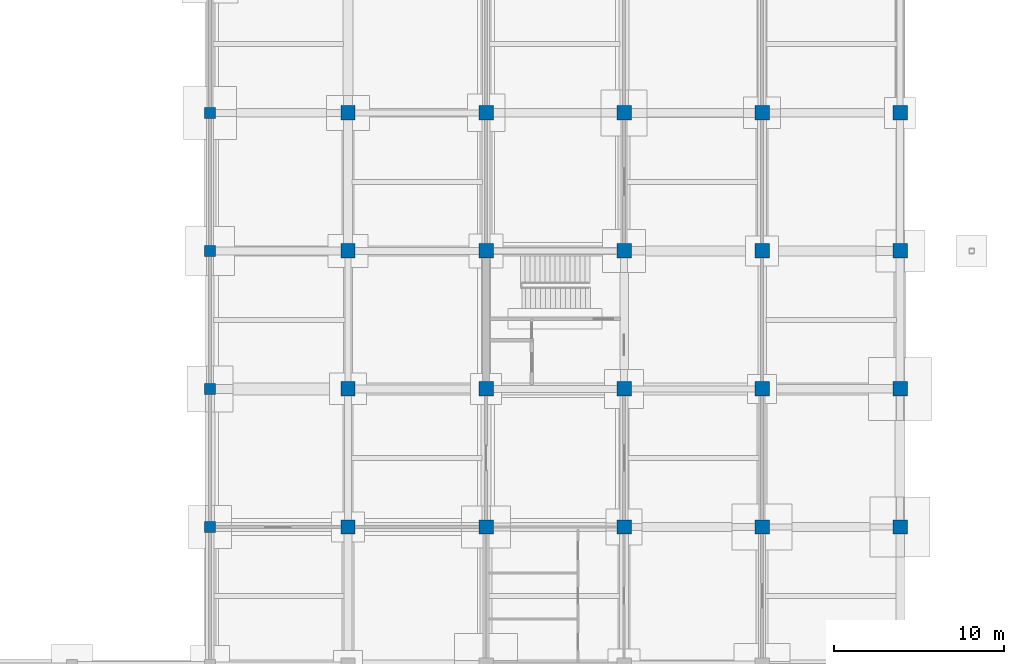
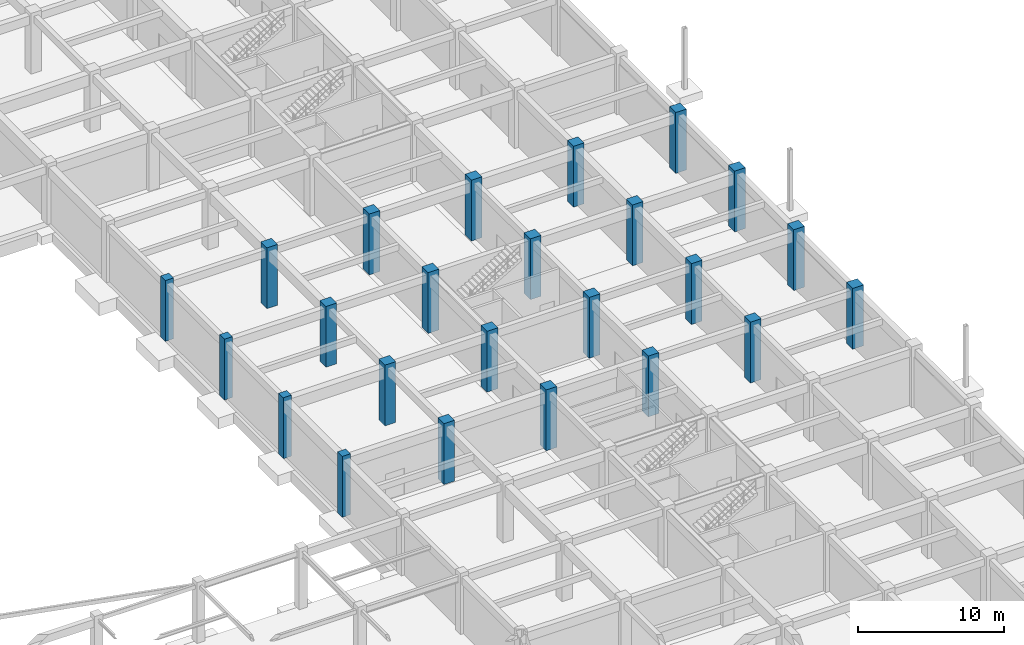
# One storey, part 25 of 67: 24 columns.
"""IFC4 building model written with IfcOpenShell, lengths in metres."""

import ifcopenshell
import ifcopenshell.guid

model = None  # the IFC model being written
_history = None  # IfcOwnerHistory: only IFC2X3 demands one
_inside = {}  # id of a spatial element -> (the spatial element, [elements in it])
_under = {}  # id of a project, library or spatial element -> (it, [spatial elements below it])
_declared = {}  # id of a project -> (the project, [libraries it declares])
_typed = {}  # id of a type object -> (the type object, [elements of that type])
_made_of = {}  # id of a material, layer set ... -> (it, [elements and type objects made of it])


def new_model(schema):
    """Start an empty IFC model of exactly this schema.

    Asked for "IFC4X3", IfcOpenShell would pick the latest addendum, in which some entities
    have other attributes; the version numbers below select the first issue.
    IFC2X3 requires an IfcOwnerHistory on every rooted entity: one is made here for all.
    """
    global model, _history
    if schema == "IFC4X3":
        model = ifcopenshell.file(schema_version=(4, 3, 0, 0))
    else:
        model = ifcopenshell.file(schema=schema)
    _inside.clear()
    _under.clear()
    _declared.clear()
    _typed.clear()
    _made_of.clear()
    _history = None
    if model.schema == "IFC2X3":
        org = make("IfcOrganization", Name="unknown")
        user = make(
            "IfcPersonAndOrganization",
            ThePerson=make("IfcPerson", FamilyName="unknown"),
            TheOrganization=org,
        )
        app = make(
            "IfcApplication",
            ApplicationDeveloper=org,
            Version="unknown",
            ApplicationFullName="unknown",
            ApplicationIdentifier="unknown",
        )
        _history = make(
            "IfcOwnerHistory",
            OwningUser=user,
            OwningApplication=app,
            ChangeAction="ADDED",
            CreationDate=0,
        )
    return model


def make(cls, **values):
    """One entity of the class cls with the attributes given. An attribute that is None is left unset."""
    return model.create_entity(
        cls, **{name: value for name, value in values.items() if value is not None}
    )


def rooted(cls, **values):
    """An entity with a GlobalId (a new one), such as an element, a storey or a relation."""
    return make(cls, GlobalId=ifcopenshell.guid.new(), OwnerHistory=_history, **values)


def si_unit(unit_type, name, prefix=None):
    """IfcSIUnit, for example si_unit("LENGTHUNIT", "METRE", prefix="MILLI")."""
    return make("IfcSIUnit", UnitType=unit_type, Prefix=prefix, Name=name)


def assignment(units):
    """IfcUnitAssignment: the units of a project."""
    return None if units is None else make("IfcUnitAssignment", Units=units)


def point(xyz):
    """IfcCartesianPoint."""
    return None if xyz is None else make("IfcCartesianPoint", Coordinates=xyz)


def direction(xyz):
    """IfcDirection."""
    return None if xyz is None else make("IfcDirection", DirectionRatios=xyz)


def frame(location, z_axis=None, x_axis=None):
    """IfcAxis2Placement3D, a coordinate frame: its origin and axes. An axis left out is left unset."""
    return make(
        "IfcAxis2Placement3D",
        Location=point(location),
        Axis=direction(z_axis),
        RefDirection=direction(x_axis),
    )


def frame_2d(location, x_axis=None):
    """IfcAxis2Placement2D, a coordinate frame in the plane: its origin and x axis."""
    return make(
        "IfcAxis2Placement2D", Location=point(location), RefDirection=direction(x_axis)
    )


def origin():
    """The frame at (0, 0, 0) with its axes left unset."""
    return frame((0.0, 0.0, 0.0))


def origin_2d():
    """The frame at (0, 0) in the plane with its x axis left unset."""
    return frame_2d((0.0, 0.0))


def place(relative_to, where):
    """IfcLocalPlacement: puts the frame where relative to a parent placement (None: the world)."""
    return make(
        "IfcLocalPlacement", PlacementRelTo=relative_to, RelativePlacement=where
    )


def context(
    kind, dimensions, precision=None, world=None, true_north=None, identifier=None
):
    """IfcGeometricRepresentationContext, for example the 3D "Model" context."""
    return make(
        "IfcGeometricRepresentationContext",
        ContextIdentifier=identifier,
        ContextType=kind,
        CoordinateSpaceDimension=dimensions,
        Precision=precision,
        WorldCoordinateSystem=world,
        TrueNorth=true_north,
    )


def subcontext(parent, identifier, kind, view, scale=None):
    """IfcGeometricRepresentationSubContext, for example "Body" below "Model"."""
    return make(
        "IfcGeometricRepresentationSubContext",
        ContextIdentifier=identifier,
        ContextType=kind,
        ParentContext=parent,
        TargetScale=scale,
        TargetView=view,
    )


def project(units=None, contexts=None):
    """IfcProject with its units and contexts."""
    return rooted(
        "IfcProject",
        Name="project",
        RepresentationContexts=contexts,
        UnitsInContext=assignment(units),
    )


def spatial(cls, under=None, at=None, **own):
    """A site, building, storey or space (cls), placed at a placement, below another one or the project."""
    s = rooted(cls, ObjectPlacement=at, **own)
    if under is not None:
        _under.setdefault(under.id(), (under, []))[1].append(s)
    return s


def profile(cls, at=None, kind="AREA", **sizes):
    """A parametric profile (cls). Its sizes go by their IFC names, for example OverallWidth=200.0."""
    return make(cls, ProfileType=kind, Position=at, **sizes)


def rectangle(**sizes):
    """IfcRectangleProfileDef."""
    return profile("IfcRectangleProfileDef", **sizes)


def extrude(swept, where, along, depth):
    """IfcExtrudedAreaSolid: the profile swept, set in the frame where, extruded along a direction by depth."""
    return make(
        "IfcExtrudedAreaSolid",
        SweptArea=swept,
        Position=where,
        ExtrudedDirection=direction(along),
        Depth=depth,
    )


def shape(context_of_items, identifier, shape_type, items):
    """IfcShapeRepresentation: the items that make up one representation, for example the "Body"."""
    return make(
        "IfcShapeRepresentation",
        ContextOfItems=context_of_items,
        RepresentationIdentifier=identifier,
        RepresentationType=shape_type,
        Items=items,
    )


def material(Name=None, Category=None):
    """IfcMaterial."""
    return make("IfcMaterial", Name=Name, Category=Category)


def material_profile(
    of_material, cross_section, Name=None, Category=None, Priority=None
):
    """IfcMaterialProfile: a cross section and its material."""
    return make(
        "IfcMaterialProfile",
        Name=Name,
        Material=of_material,
        Profile=cross_section,
        Priority=Priority,
        Category=Category,
    )


def profile_set(profiles, Name=None, composite=None):
    """IfcMaterialProfileSet."""
    return make(
        "IfcMaterialProfileSet",
        Name=Name,
        MaterialProfiles=profiles,
        CompositeProfile=composite,
    )


def made_of(thing, what):
    """Note that an element or type object is made of a material, layer set ...; save() writes the relation."""
    if what is not None:
        _made_of.setdefault(what.id(), (what, []))[1].append(thing)
    return thing


def type_object(cls, material=None, **own):
    """A type object (cls), such as IfcWallType, which elements share."""
    return made_of(rooted(cls, **own), material)


def element(
    cls,
    number,
    at=None,
    inside=None,
    cuts=None,
    type_object=None,
    material=None,
    context=None,
    identifier="Body",
    shape_type=None,
    held_by="IfcProductDefinitionShape",
    body=None,
    shapes=None,
    **own,
):
    """One element of the class cls, such as IfcWall. Its Tag is "e" and its number.

    at: its placement. inside: the storey or other place that contains it. cuts: it is an
    opening in that element (IfcRelVoidsElement). A single representation is given by context,
    identifier, shape_type and body (its items); several are given by shapes. held_by: the class
    of the entity that holds the representations. save() writes the other relations.
    """
    e = rooted(cls, Tag="e%d" % number, ObjectPlacement=at, **own)
    if body is not None:
        shapes = [shape(context, identifier, shape_type, body)]
    if shapes is not None:
        e.Representation = make(held_by, Representations=shapes)
    if inside is not None:
        _inside.setdefault(inside.id(), (inside, []))[1].append(e)
    if cuts is not None:
        rooted(
            "IfcRelVoidsElement", RelatingBuildingElement=cuts, RelatedOpeningElement=e
        )
    if type_object is not None:
        _typed.setdefault(type_object.id(), (type_object, []))[1].append(e)
    return made_of(e, material)


def aggregate(whole, parts):
    """IfcRelAggregates: a whole, such as a stair, and the parts it consists of."""
    return rooted("IfcRelAggregates", RelatingObject=whole, RelatedObjects=parts)


def save(model, path):
    """Write the relations noted so far, then the file.

    IfcRelAggregates (storeys below a building ...), IfcRelContainedInSpatialStructure (elements
    in a storey), IfcRelDefinesByType, IfcRelAssociatesMaterial and IfcRelDeclares: one each for
    every whole, place, type object, material and project.
    """
    for whole, parts in _under.values():
        aggregate(whole, parts)
    for where, things in _inside.values():
        rooted(
            "IfcRelContainedInSpatialStructure",
            RelatedElements=things,
            RelatingStructure=where,
        )
    for kind, things in _typed.values():
        rooted("IfcRelDefinesByType", RelatedObjects=things, RelatingType=kind)
    for what, things in _made_of.values():
        rooted("IfcRelAssociatesMaterial", RelatedObjects=things, RelatingMaterial=what)
    for by, libraries in _declared.values():
        rooted("IfcRelDeclares", RelatingContext=by, RelatedDefinitions=libraries)
    model.write(path)


model = new_model("IFC4")

# Units and contexts
model_context = context("Model", 3, precision=1e-05, world=origin(), true_north=direction((0.0, 1.0)))
body_context = subcontext(model_context, "Body", "Model", "MODEL_VIEW")
ifc_project = project(units=[si_unit("LENGTHUNIT", "METRE"), si_unit("AREAUNIT", "SQUARE_METRE"), si_unit("VOLUMEUNIT", "CUBIC_METRE"), si_unit("PLANEANGLEUNIT", "RADIAN"), si_unit("MASSUNIT", "GRAM", prefix="KILO")], contexts=[model_context])

# Site, building, storey
site_placement = place(None, origin())
site = spatial("IfcSite", under=ifc_project, at=site_placement, CompositionType="ELEMENT")
building_placement = place(site_placement, origin())
building = spatial("IfcBuilding", under=site, at=building_placement, Name="Vaudrelin Polytechnic", CompositionType="ELEMENT")
storey_placement = place(building_placement, frame((0.0, 0.0, -5.10009765625)))
storey = spatial("IfcBuildingStorey", under=building, at=storey_placement, Name="B1", CompositionType="ELEMENT", Elevation=-5.10009765625)

# Columns
ifc_material_1 = material(Name="Concrete 40 MPa", Category="concrete")
ifc_material_profile_1 = material_profile(ifc_material_1, rectangle(XDim=0.64990234375, YDim=0.64990234375, at=origin_2d()), Name="RC650x650")
ifc_profile_set_1 = profile_set([ifc_material_profile_1], Name="Concrete 40 MPa")
column_type_1 = type_object("IfcColumnType", Name="COL-C-RC650", PredefinedType="COLUMN", material=ifc_profile_set_1)
for number, where, z_axis, x_axis, name in (
    (1, (129.60009765625, 56.699951171875, 0.0), (0.0, 0.0, 1.0), (1.0, 0.0, 0.0), "Column B1 17-8"),
    (2, (129.60009765625, 64.800048828125, 0.0), (0.0, 0.0, 1.0), (1.0, 0.0, 0.0), "Column B1 17-9"),
    (3, (129.60009765625, 72.89990234375, 0.0), (0.0, 0.0, 1.0), (1.0, 0.0, 0.0), "Column B1 17-10"),
    (4, (129.60009765625, 81.0, 0.0), (0.0, 0.0, 1.0), (1.0, 0.0, 0.0), "Column B1 17-11"),
):
    element("IfcColumn", number, at=place(storey_placement, frame(where, z_axis=z_axis, x_axis=x_axis)), inside=storey, type_object=column_type_1, Name=name, PredefinedType="COLUMN", context=body_context, shape_type="SweptSolid", body=[
        extrude(rectangle(XDim=0.64990234375, YDim=0.64990234375, at=origin_2d()), origin(), (0.0, 0.0, 1.0), 5.10009765625),
    ])
ifc_material_2 = material(Name="Concrete 50 MPa", Category="concrete")
ifc_material_profile_2 = material_profile(ifc_material_2, rectangle(XDim=0.85009765625, YDim=0.85009765625, at=origin_2d()), Name="RC850x850")
ifc_profile_set_2 = profile_set([ifc_material_profile_2], Name="Concrete 50 MPa")
column_type_2 = type_object("IfcColumnType", Name="COL-C-RC850", PredefinedType="COLUMN", material=ifc_profile_set_2)
for number, where, z_axis, x_axis, name in (
    (5, (137.699951171875, 56.699951171875, 0.0), (0.0, 0.0, 1.0), (1.0, 0.0, 0.0), "Column B1 18-8"),
    (6, (137.699951171875, 64.800048828125, 0.0), (0.0, 0.0, 1.0), (1.0, 0.0, 0.0), "Column B1 18-9"),
    (7, (137.699951171875, 72.89990234375, 0.0), (0.0, 0.0, 1.0), (1.0, 0.0, 0.0), "Column B1 18-10"),
    (8, (137.699951171875, 81.0, 0.0), (0.0, 0.0, 1.0), (1.0, 0.0, 0.0), "Column B1 18-11"),
    (9, (145.800048828125, 56.699951171875, 0.0), (0.0, 0.0, 1.0), (1.0, 0.0, 0.0), "Column B1 19-8"),
    (10, (145.800048828125, 64.800048828125, 0.0), (0.0, 0.0, 1.0), (1.0, 0.0, 0.0), "Column B1 19-9"),
    (11, (145.800048828125, 72.89990234375, 0.0), (0.0, 0.0, 1.0), (1.0, 0.0, 0.0), "Column B1 19-10"),
    (12, (145.800048828125, 81.0, 0.0), (0.0, 0.0, 1.0), (1.0, 0.0, 0.0), "Column B1 19-11"),
    (13, (153.89990234375, 56.699951171875, 0.0), (0.0, 0.0, 1.0), (1.0, 0.0, 0.0), "Column B1 20-8"),
    (14, (153.89990234375, 64.800048828125, 0.0), (0.0, 0.0, 1.0), (1.0, 0.0, 0.0), "Column B1 20-9"),
    (15, (153.89990234375, 72.89990234375, 0.0), (0.0, 0.0, 1.0), (1.0, 0.0, 0.0), "Column B1 20-10"),
    (16, (153.89990234375, 81.0, 0.0), (0.0, 0.0, 1.0), (1.0, 0.0, 0.0), "Column B1 20-11"),
    (17, (162.0, 56.699951171875, 0.0), (0.0, 0.0, 1.0), (1.0, 0.0, 0.0), "Column B1 21-8"),
    (18, (162.0, 64.800048828125, 0.0), (0.0, 0.0, 1.0), (1.0, 0.0, 0.0), "Column B1 21-9"),
    (19, (162.0, 72.89990234375, 0.0), (0.0, 0.0, 1.0), (1.0, 0.0, 0.0), "Column B1 21-10"),
    (20, (162.0, 81.0, 0.0), (0.0, 0.0, 1.0), (1.0, 0.0, 0.0), "Column B1 21-11"),
    (21, (170.10009765625, 56.699951171875, 0.0), (0.0, 0.0, 1.0), (1.0, 0.0, 0.0), "Column B1 22-8"),
    (22, (170.10009765625, 64.800048828125, 0.0), (0.0, 0.0, 1.0), (1.0, 0.0, 0.0), "Column B1 22-9"),
    (23, (170.10009765625, 72.89990234375, 0.0), (0.0, 0.0, 1.0), (1.0, 0.0, 0.0), "Column B1 22-10"),
    (24, (170.10009765625, 81.0, 0.0), (0.0, 0.0, 1.0), (1.0, 0.0, 0.0), "Column B1 22-11"),
):
    element("IfcColumn", number, at=place(storey_placement, frame(where, z_axis=z_axis, x_axis=x_axis)), inside=storey, type_object=column_type_2, Name=name, PredefinedType="COLUMN", context=body_context, shape_type="SweptSolid", body=[
        extrude(rectangle(XDim=0.85009765625, YDim=0.85009765625, at=origin_2d()), origin(), (0.0, 0.0, 1.0), 5.10009765625),
    ])

save(model, "model.ifc")
